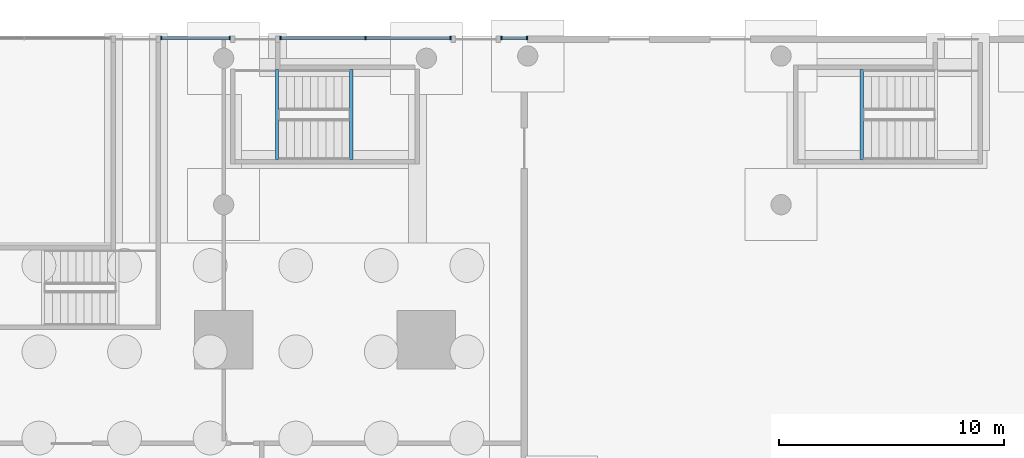
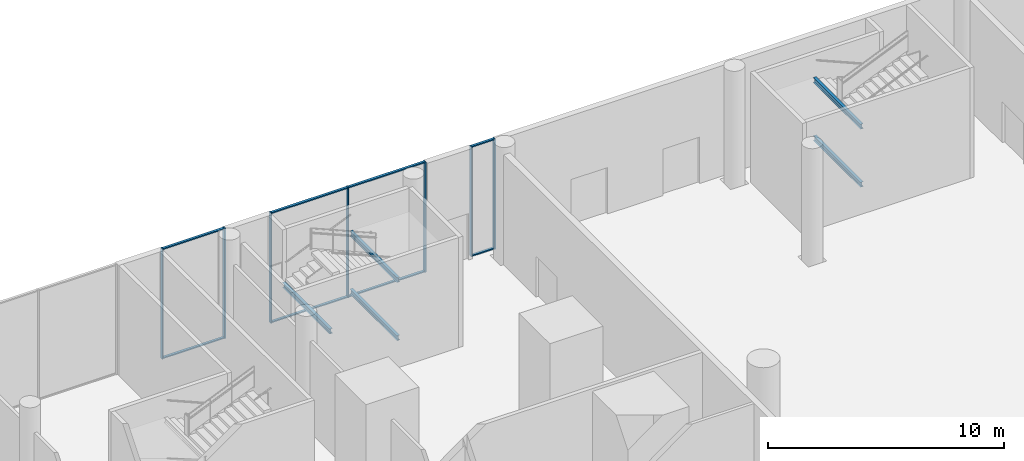
# One storey, part 8 of 31: 15 members, 5 beams, 3 elements without a shape of their own.
"""IFC4 building model written with IfcOpenShell, lengths in metres."""

from ifc_helpers import new_model, si_unit, direction, frame, origin, origin_2d, place, context, subcontext, project, spatial, rectangle, i_section, extrude, material, layer, layer_set, material_profile, profile_set, type_object, element, aggregate, save


model = new_model("IFC4")

# Units and contexts
model_context = context("Model", 3, precision=1e-05, world=origin(), true_north=direction((0.0, 1.0)))
body_context = subcontext(model_context, "Body", "Model", "MODEL_VIEW")
ifc_project = project(units=[si_unit("LENGTHUNIT", "METRE"), si_unit("AREAUNIT", "SQUARE_METRE"), si_unit("VOLUMEUNIT", "CUBIC_METRE"), si_unit("PLANEANGLEUNIT", "RADIAN"), si_unit("MASSUNIT", "GRAM", prefix="KILO")], contexts=[model_context])

# Site, building, storey
site_placement = place(None, origin())
site = spatial("IfcSite", under=ifc_project, at=site_placement, CompositionType="ELEMENT")
building_placement = place(site_placement, origin())
building = spatial("IfcBuilding", under=site, at=building_placement, Name="Namib Vertical Campus", CompositionType="ELEMENT")
storey_placement = place(building_placement, origin())
storey = spatial("IfcBuildingStorey", under=building, at=storey_placement, Name="L00", CompositionType="ELEMENT", Elevation=0.0)

# Curtain wall, members
ifc_material_1 = material(Name="Black aluminium curtain wall", Category="aluminium")
ifc_layer = layer(ifc_material_1, 0.199951171875)
ifc_layer_set = layer_set([ifc_layer], Name="Entrance curtain wall CW-EN")
curtain_wall_type = type_object("IfcCurtainWallType", Name="Entrance curtain wall CW-EN", PredefinedType="USERDEFINED", material=ifc_layer_set)
curtain_wall_1_placement = place(storey_placement, origin())
curtain_wall_1 = element("IfcCurtainWall", 1, at=curtain_wall_1_placement, inside=storey, type_object=curtain_wall_type, Name="Curtain wall CW-EN L00 5-1", ObjectType="CURTAIN WALL", PredefinedType="USERDEFINED")
ifc_material_2 = material(Name="Black anodised aluminium", Category="aluminium")
ifc_material_profile_1 = material_profile(ifc_material_2, rectangle(XDim=0.06005859375, YDim=0.159912109375, at=origin_2d()))
ifc_profile_set_1 = profile_set([ifc_material_profile_1], Name="Black anodised aluminium")
member_type_1 = type_object("IfcMemberType", Name="Curtain wall mullion 60x160", PredefinedType="MULLION", material=ifc_profile_set_1)
member_1_placement = place(storey_placement, frame((27.27001953125, 49.39990234375, 0.0), z_axis=(0.0, 0.0, 1.0), x_axis=(-1.0, 0.0, 0.0)))
member_1 = element("IfcMember", 2, at=member_1_placement, type_object=member_type_1, Name="CW-EN mullion 1", PredefinedType="MULLION", context=body_context, shape_type="SweptSolid", body=[
    extrude(rectangle(XDim=0.06005859375, YDim=0.159912109375, at=origin_2d()), origin(), (0.0, 0.0, 1.0), 5.699951171875),
])
member_2_placement = place(storey_placement, frame((24.22998046875, 49.39990234375, 0.0), z_axis=(0.0, 0.0, 1.0), x_axis=(-1.0, 0.0, 0.0)))
member_2 = element("IfcMember", 3, at=member_2_placement, type_object=member_type_1, Name="CW-EN mullion 2", PredefinedType="MULLION", context=body_context, shape_type="SweptSolid", body=[
    extrude(rectangle(XDim=0.06005859375, YDim=0.159912109375, at=origin_2d()), origin(), (0.0, 0.0, 1.0), 5.699951171875),
])

curtain_wall_2_placement = place(storey_placement, origin())
curtain_wall_2 = element("IfcCurtainWall", 4, at=curtain_wall_2_placement, inside=storey, type_object=curtain_wall_type, Name="Curtain wall CW-EN L00 7-1", ObjectType="CURTAIN WALL", PredefinedType="USERDEFINED")
member_3_placement = place(storey_placement, frame((37.070068359375, 49.39990234375, 0.0), z_axis=(0.0, 0.0, 1.0), x_axis=(-1.0, 0.0, 0.0)))
member_3 = element("IfcMember", 5, at=member_3_placement, type_object=member_type_1, Name="CW-EN mullion 1", PredefinedType="MULLION", context=body_context, shape_type="SweptSolid", body=[
    extrude(rectangle(XDim=0.06005859375, YDim=0.159912109375, at=origin_2d()), origin(), (0.0, 0.0, 1.0), 5.699951171875),
])
member_4_placement = place(storey_placement, frame((33.300048828125, 49.39990234375, 0.0), z_axis=(0.0, 0.0, 1.0), x_axis=(-1.0, 0.0, 0.0)))
member_4 = element("IfcMember", 6, at=member_4_placement, type_object=member_type_1, Name="CW-EN mullion 2", PredefinedType="MULLION", context=body_context, shape_type="SweptSolid", body=[
    extrude(rectangle(XDim=0.06005859375, YDim=0.159912109375, at=origin_2d()), origin(), (0.0, 0.0, 1.0), 5.699951171875),
])
member_5_placement = place(storey_placement, frame((29.530029296875, 49.39990234375, 0.0), z_axis=(0.0, 0.0, 1.0), x_axis=(-1.0, 0.0, 0.0)))
member_5 = element("IfcMember", 7, at=member_5_placement, type_object=member_type_1, Name="CW-EN mullion 3", PredefinedType="MULLION", context=body_context, shape_type="SweptSolid", body=[
    extrude(rectangle(XDim=0.06005859375, YDim=0.159912109375, at=origin_2d()), origin(), (0.0, 0.0, 1.0), 5.699951171875),
])

curtain_wall_3_placement = place(storey_placement, origin())
curtain_wall_3 = element("IfcCurtainWall", 8, at=curtain_wall_3_placement, inside=storey, type_object=curtain_wall_type, Name="Curtain wall CW-EN L00 9-1", ObjectType="CURTAIN WALL", PredefinedType="USERDEFINED")
member_6_placement = place(storey_placement, frame((40.469970703125, 49.39990234375, 0.0), z_axis=(0.0, 0.0, 1.0), x_axis=(-1.0, 0.0, 0.0)))
member_6 = element("IfcMember", 9, at=member_6_placement, type_object=member_type_1, Name="CW-EN mullion 1", PredefinedType="MULLION", context=body_context, shape_type="SweptSolid", body=[
    extrude(rectangle(XDim=0.06005859375, YDim=0.159912109375, at=origin_2d()), origin(), (0.0, 0.0, 1.0), 5.699951171875),
])
member_7_placement = place(storey_placement, frame((39.330078125, 49.39990234375, 0.0), z_axis=(0.0, 0.0, 1.0), x_axis=(-1.0, 0.0, 0.0)))
member_7 = element("IfcMember", 10, at=member_7_placement, type_object=member_type_1, Name="CW-EN mullion 2", PredefinedType="MULLION", context=body_context, shape_type="SweptSolid", body=[
    extrude(rectangle(XDim=0.06005859375, YDim=0.159912109375, at=origin_2d()), origin(), (0.0, 0.0, 1.0), 5.699951171875),
])

# Member
ifc_material_3 = material(Name="Black anodised aluminium", Category="aluminium")
ifc_material_profile_2 = material_profile(ifc_material_3, rectangle(XDim=0.06005859375, YDim=0.1201171875, at=origin_2d()))
ifc_profile_set_2 = profile_set([ifc_material_profile_2], Name="Black anodised aluminium")
member_type_2 = type_object("IfcMemberType", Name="Curtain wall transom 60x120", PredefinedType="USERDEFINED", material=ifc_profile_set_2)
member_8_placement = place(storey_placement, frame((27.239990234375, 49.39990234375, 0.030029296875), z_axis=(-1.0, 0.0, 0.0), x_axis=(0.0, 0.0, 1.0)))
member_8 = element("IfcMember", 11, at=member_8_placement, type_object=member_type_2, Name="CW-EN transom 1.1", ObjectType="TRANSOM", PredefinedType="USERDEFINED", context=body_context, shape_type="SweptSolid", body=[
    extrude(rectangle(XDim=0.06005859375, YDim=0.1201171875, at=origin_2d()), origin(), (0.0, 0.0, 1.0), 2.97998046875),
])

member_9_placement = place(storey_placement, frame((27.239990234375, 49.39990234375, 5.669921875), z_axis=(-1.0, 0.0, 0.0), x_axis=(0.0, 0.0, 1.0)))
member_9 = element("IfcMember", 12, at=member_9_placement, type_object=member_type_2, Name="CW-EN transom 1.2", ObjectType="TRANSOM", PredefinedType="USERDEFINED", context=body_context, shape_type="SweptSolid", body=[
    extrude(rectangle(XDim=0.06005859375, YDim=0.1201171875, at=origin_2d()), origin(), (0.0, 0.0, 1.0), 2.97998046875),
])

aggregate(curtain_wall_1, [member_1, member_2, member_8, member_9])

member_10_placement = place(storey_placement, frame((37.0400390625, 49.39990234375, 0.030029296875), z_axis=(-1.0, 0.0, 0.0), x_axis=(0.0, 0.0, 1.0)))
member_10 = element("IfcMember", 13, at=member_10_placement, type_object=member_type_2, Name="CW-EN transom 1.1", ObjectType="TRANSOM", PredefinedType="USERDEFINED", context=body_context, shape_type="SweptSolid", body=[
    extrude(rectangle(XDim=0.06005859375, YDim=0.1201171875, at=origin_2d()), origin(), (0.0, 0.0, 1.0), 3.7099609375),
])

member_11_placement = place(storey_placement, frame((37.0400390625, 49.39990234375, 5.669921875), z_axis=(-1.0, 0.0, 0.0), x_axis=(0.0, 0.0, 1.0)))
member_11 = element("IfcMember", 14, at=member_11_placement, type_object=member_type_2, Name="CW-EN transom 1.2", ObjectType="TRANSOM", PredefinedType="USERDEFINED", context=body_context, shape_type="SweptSolid", body=[
    extrude(rectangle(XDim=0.06005859375, YDim=0.1201171875, at=origin_2d()), origin(), (0.0, 0.0, 1.0), 3.7099609375),
])

member_12_placement = place(storey_placement, frame((33.27001953125, 49.39990234375, 0.030029296875), z_axis=(-1.0, 0.0, 0.0), x_axis=(0.0, 0.0, 1.0)))
member_12 = element("IfcMember", 15, at=member_12_placement, type_object=member_type_2, Name="CW-EN transom 2.1", ObjectType="TRANSOM", PredefinedType="USERDEFINED", context=body_context, shape_type="SweptSolid", body=[
    extrude(rectangle(XDim=0.06005859375, YDim=0.1201171875, at=origin_2d()), origin(), (0.0, 0.0, 1.0), 3.7099609375),
])

member_13_placement = place(storey_placement, frame((33.27001953125, 49.39990234375, 5.669921875), z_axis=(-1.0, 0.0, 0.0), x_axis=(0.0, 0.0, 1.0)))
member_13 = element("IfcMember", 16, at=member_13_placement, type_object=member_type_2, Name="CW-EN transom 2.2", ObjectType="TRANSOM", PredefinedType="USERDEFINED", context=body_context, shape_type="SweptSolid", body=[
    extrude(rectangle(XDim=0.06005859375, YDim=0.1201171875, at=origin_2d()), origin(), (0.0, 0.0, 1.0), 3.7099609375),
])

aggregate(curtain_wall_2, [member_3, member_4, member_5, member_10, member_11, member_12, member_13])

member_14_placement = place(storey_placement, frame((40.43994140625, 49.39990234375, 0.030029296875), z_axis=(-1.0, 0.0, 0.0), x_axis=(0.0, 0.0, 1.0)))
member_14 = element("IfcMember", 17, at=member_14_placement, type_object=member_type_2, Name="CW-EN transom 1.1", ObjectType="TRANSOM", PredefinedType="USERDEFINED", context=body_context, shape_type="SweptSolid", body=[
    extrude(rectangle(XDim=0.06005859375, YDim=0.1201171875, at=origin_2d()), origin(), (0.0, 0.0, 1.0), 1.079833984375),
])

member_15_placement = place(storey_placement, frame((40.43994140625, 49.39990234375, 5.669921875), z_axis=(-1.0, 0.0, 0.0), x_axis=(0.0, 0.0, 1.0)))
member_15 = element("IfcMember", 18, at=member_15_placement, type_object=member_type_2, Name="CW-EN transom 1.2", ObjectType="TRANSOM", PredefinedType="USERDEFINED", context=body_context, shape_type="SweptSolid", body=[
    extrude(rectangle(XDim=0.06005859375, YDim=0.1201171875, at=origin_2d()), origin(), (0.0, 0.0, 1.0), 1.079833984375),
])

aggregate(curtain_wall_3, [member_6, member_7, member_14, member_15])

# Beams
ifc_material_4 = material(Name="Steel S355JR", Category="steel")
ifc_material_profile_3 = material_profile(ifc_material_4, i_section(OverallWidth=0.14599609375, OverallDepth=0.25146484375, WebThickness=0.006103515625, FlangeThickness=0.008544921875, FilletRadius=0.007568359375, at=origin_2d()))
ifc_profile_set_3 = profile_set([ifc_material_profile_3], Name="Steel S355JR")
beam_type = type_object("IfcBeamType", Name="Landing trimmer UB 254x146x31", PredefinedType="BEAM", material=ifc_profile_set_3)
for number, where, z_axis, x_axis, name in (
    (19, (32.669189453125, 44.0, 1.374267578125), (0.0, 1.0, 0.0), (-1.0, 0.0, 0.0), "Landing trimmer LT1 P-S1 L00 1"),
    (20, (29.373046875, 44.0, 2.874267578125), (0.0, 1.0, 0.0), (-1.0, 0.0, 0.0), "Landing trimmer LT1 P-S1 L00 2"),
    (21, (32.669189453125, 44.0, 4.374267578125), (0.0, 1.0, 0.0), (-1.0, 0.0, 0.0), "Landing trimmer LT1 P-S1 L00 3"),
    (22, (55.330810546875, 44.0, 1.374267578125), (0.0, 1.0, 0.0), (-1.0, 0.0, 0.0), "Landing trimmer LT1 P-S3 L00 1"),
    (23, (55.330810546875, 44.0, 4.374267578125), (0.0, 1.0, 0.0), (-1.0, 0.0, 0.0), "Landing trimmer LT1 P-S3 L00 3"),
):
    element("IfcBeam", number, at=place(storey_placement, frame(where, z_axis=z_axis, x_axis=x_axis)), inside=storey, type_object=beam_type, Name=name, PredefinedType="BEAM", context=body_context, shape_type="SweptSolid", body=[
        extrude(i_section(OverallWidth=0.14599609375, OverallDepth=0.25146484375, WebThickness=0.006103515625, FlangeThickness=0.008544921875, FilletRadius=0.007568359375, at=origin_2d()), origin(), (0.0, 0.0, 1.0), 4.0),
    ])

save(model, "model.ifc")
